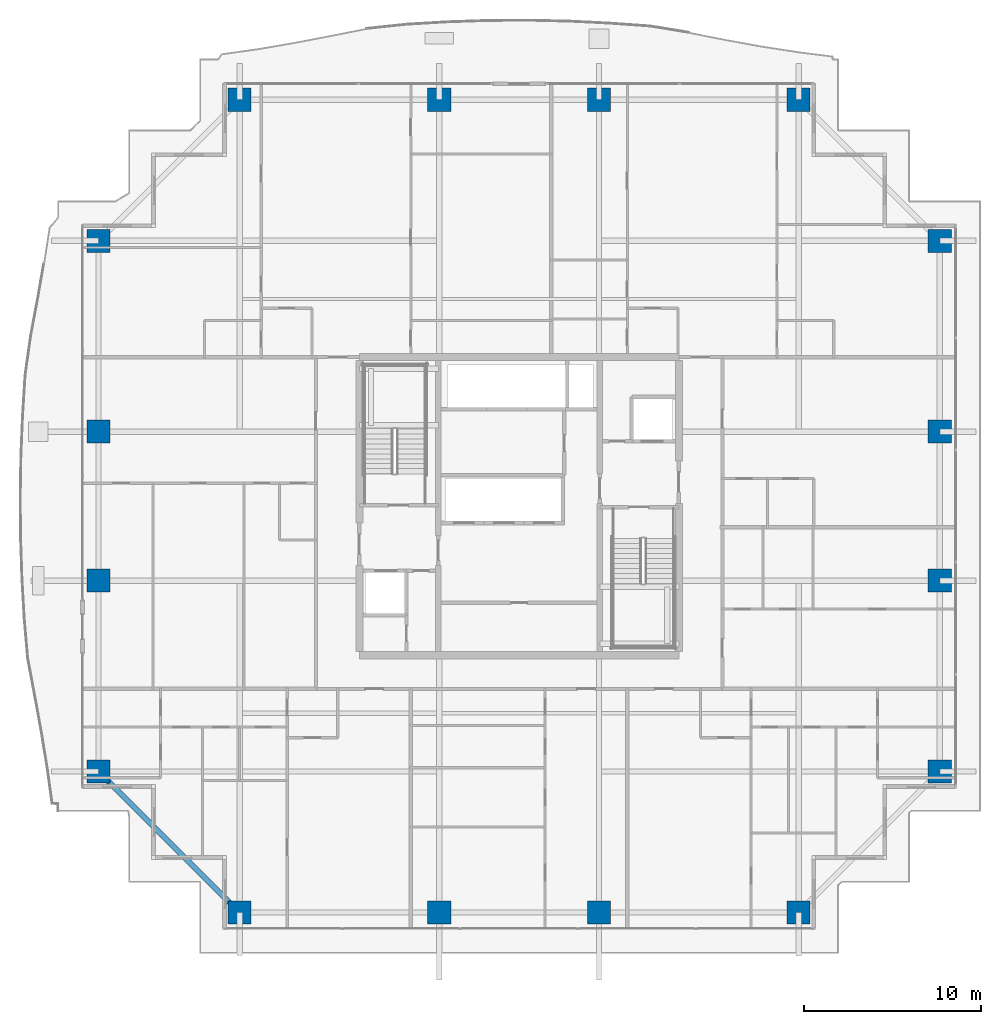
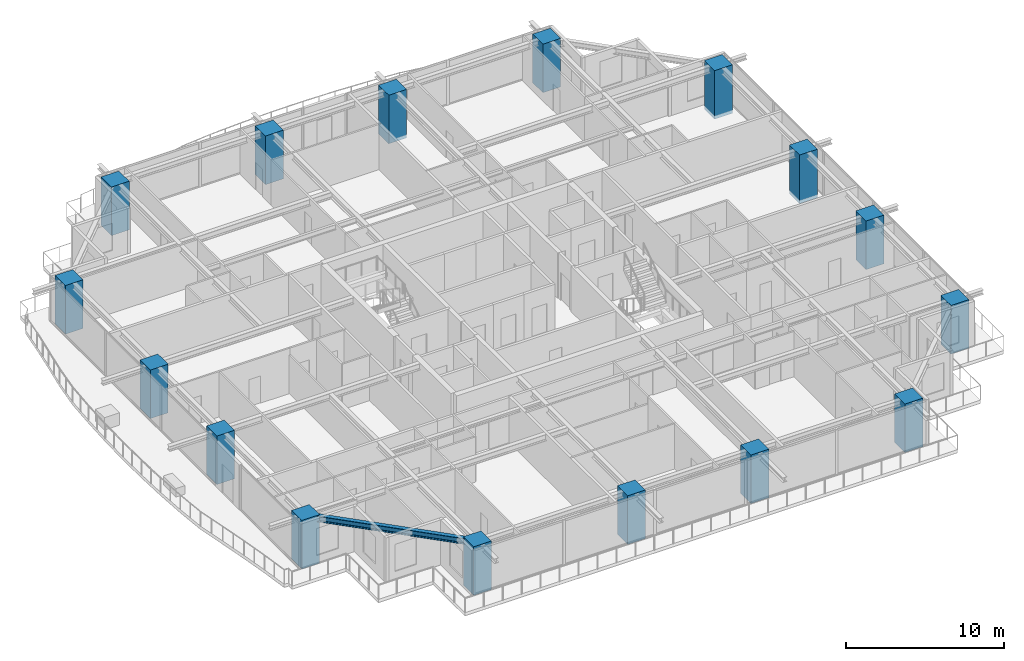
# One storey, part 1 of 38: 16 columns, 1 beam.
"""IFC4 building model written with IfcOpenShell, lengths in metres."""

from ifc_helpers import new_model, si_unit, direction, frame, origin, origin_2d, place, context, subcontext, project, spatial, rectangle, i_section, extrude, source, transform, mapped, material, material_profile, profile_set, type_object, element, save


model = new_model("IFC4")

# Units and contexts
model_context = context("Model", 3, precision=1e-05, world=origin(), true_north=direction((0.0, 1.0)))
body_context = subcontext(model_context, "Body", "Model", "MODEL_VIEW")
ifc_project = project(units=[si_unit("LENGTHUNIT", "METRE"), si_unit("AREAUNIT", "SQUARE_METRE"), si_unit("VOLUMEUNIT", "CUBIC_METRE"), si_unit("PLANEANGLEUNIT", "RADIAN"), si_unit("MASSUNIT", "GRAM", prefix="KILO")], contexts=[model_context])

# Site, building, storey
site_placement = place(None, origin())
site = spatial("IfcSite", under=ifc_project, at=site_placement, CompositionType="ELEMENT")
building_placement = place(site_placement, origin())
building = spatial("IfcBuilding", under=site, at=building_placement, Name="Serunith Strait Residences", CompositionType="ELEMENT")
storey_placement = place(building_placement, frame((0.0, 0.0, 183.89990234375)))
storey = spatial("IfcBuildingStorey", under=building, at=storey_placement, Name="L46", CompositionType="ELEMENT", Elevation=183.89990234375)

# Columns
ifc_material_1 = material(Name="Concrete C80/95", Category="concrete")
ifc_material_profile_1 = material_profile(ifc_material_1, rectangle(XDim=1.300048828125, YDim=1.300048828125, at=origin_2d()), Name="RC 1300x1300")
ifc_profile_set_1 = profile_set([ifc_material_profile_1], Name="Concrete C80/95")
column_type = type_object("IfcColumnType", Name="COL-RC-1300", PredefinedType="COLUMN", material=ifc_profile_set_1)
shared_shape_1 = source(origin(), body_context, "Body", "SweptSolid", [
    extrude(rectangle(XDim=1.300048828125, YDim=1.300048828125, at=origin_2d()), origin(), (0.0, 0.0, 1.0), 3.75),
])
for number, where, z_axis, x_axis, name in (
    (1, (16.64990234375, 2.300048828125, -0.260009765625), (0.0, 0.0, 1.0), (1.0, 0.0, 0.0), "L46 Tower Mega-Column TC-S1"),
    (2, (27.89990234375, 2.300048828125, -0.260009765625), (0.0, 0.0, 1.0), (1.0, 0.0, 0.0), "L46 Tower Mega-Column TC-S2"),
    (3, (36.89990234375, 2.300048828125, -0.260009765625), (0.0, 0.0, 1.0), (1.0, 0.0, 0.0), "L46 Tower Mega-Column TC-S3"),
    (4, (48.14990234375, 2.300048828125, -0.260009765625), (0.0, 0.0, 1.0), (1.0, 0.0, 0.0), "L46 Tower Mega-Column TC-S4"),
    (5, (16.64990234375, 48.10009765625, -0.260009765625), (0.0, 0.0, 1.0), (1.0, 0.0, 0.0), "L46 Tower Mega-Column TC-N1"),
    (6, (27.89990234375, 48.10009765625, -0.260009765625), (0.0, 0.0, 1.0), (1.0, 0.0, 0.0), "L46 Tower Mega-Column TC-N2"),
    (7, (36.89990234375, 48.10009765625, -0.260009765625), (0.0, 0.0, 1.0), (1.0, 0.0, 0.0), "L46 Tower Mega-Column TC-N3"),
    (8, (48.14990234375, 48.10009765625, -0.260009765625), (0.0, 0.0, 1.0), (1.0, 0.0, 0.0), "L46 Tower Mega-Column TC-N4"),
    (9, (56.10009765625, 10.25, -0.260009765625), (0.0, 0.0, 1.0), (1.0, 0.0, 0.0), "L46 Tower Mega-Column TC-E1"),
    (10, (56.10009765625, 21.0, -0.260009765625), (0.0, 0.0, 1.0), (1.0, 0.0, 0.0), "L46 Tower Mega-Column TC-E2"),
    (11, (56.10009765625, 29.39990234375, -0.260009765625), (0.0, 0.0, 1.0), (1.0, 0.0, 0.0), "L46 Tower Mega-Column TC-E3"),
    (12, (56.10009765625, 40.14990234375, -0.260009765625), (0.0, 0.0, 1.0), (1.0, 0.0, 0.0), "L46 Tower Mega-Column TC-E4"),
    (13, (8.699951171875, 10.25, -0.260009765625), (0.0, 0.0, 1.0), (1.0, 0.0, 0.0), "L46 Tower Mega-Column TC-W1"),
    (14, (8.699951171875, 21.0, -0.260009765625), (0.0, 0.0, 1.0), (1.0, 0.0, 0.0), "L46 Tower Mega-Column TC-W2"),
    (15, (8.699951171875, 29.39990234375, -0.260009765625), (0.0, 0.0, 1.0), (1.0, 0.0, 0.0), "L46 Tower Mega-Column TC-W3"),
    (16, (8.699951171875, 40.14990234375, -0.260009765625), (0.0, 0.0, 1.0), (1.0, 0.0, 0.0), "L46 Tower Mega-Column TC-W4"),
):
    element("IfcColumn", number, at=place(storey_placement, frame(where, z_axis=z_axis, x_axis=x_axis)), inside=storey, type_object=column_type, Name=name, PredefinedType="COLUMN", context=body_context, shape_type="MappedRepresentation", body=[
        mapped(shared_shape_1, transform((0.0, 0.0, 0.0), scale=1.0)),
    ])

# Beam
ifc_material_2 = material(Name="Steel S355J2", Category="steel")
ifc_material_profile_2 = material_profile(ifc_material_2, i_section(OverallWidth=0.300048828125, OverallDepth=0.449951171875, WebThickness=0.013916015625, FlangeThickness=0.02587890625, FilletRadius=0.027099609375, at=origin_2d()), Name="HEB 450")
ifc_profile_set_2 = profile_set([ifc_material_profile_2], Name="Steel S355J2")
beam_type = type_object("IfcBeamType", Name="BM-HEB450", PredefinedType="BEAM", material=ifc_profile_set_2)
shared_shape_2 = source(origin(), body_context, "Body", "SweptSolid", [
    extrude(i_section(OverallWidth=0.300048828125, OverallDepth=0.449951171875, WebThickness=0.013916015625, FlangeThickness=0.02587890625, FilletRadius=0.027099609375, at=origin_2d()), origin(), (0.0, 0.0, 1.0), 11.242919921875),
])
beam_placement = place(storey_placement, frame((8.699951171875, 10.25, 3.232177734375), z_axis=(0.707106781187, -0.707106781187, 0.0), x_axis=(0.707106781187, 0.707106781187, 0.0)))
element("IfcBeam", 17, at=beam_placement, inside=storey, type_object=beam_type, Name="L46 Perimeter Ring Beam 16", PredefinedType="BEAM", context=body_context, shape_type="MappedRepresentation", body=[
    mapped(shared_shape_2, transform((0.0, 0.0, 0.0), scale=1.0)),
])

save(model, "model.ifc")
